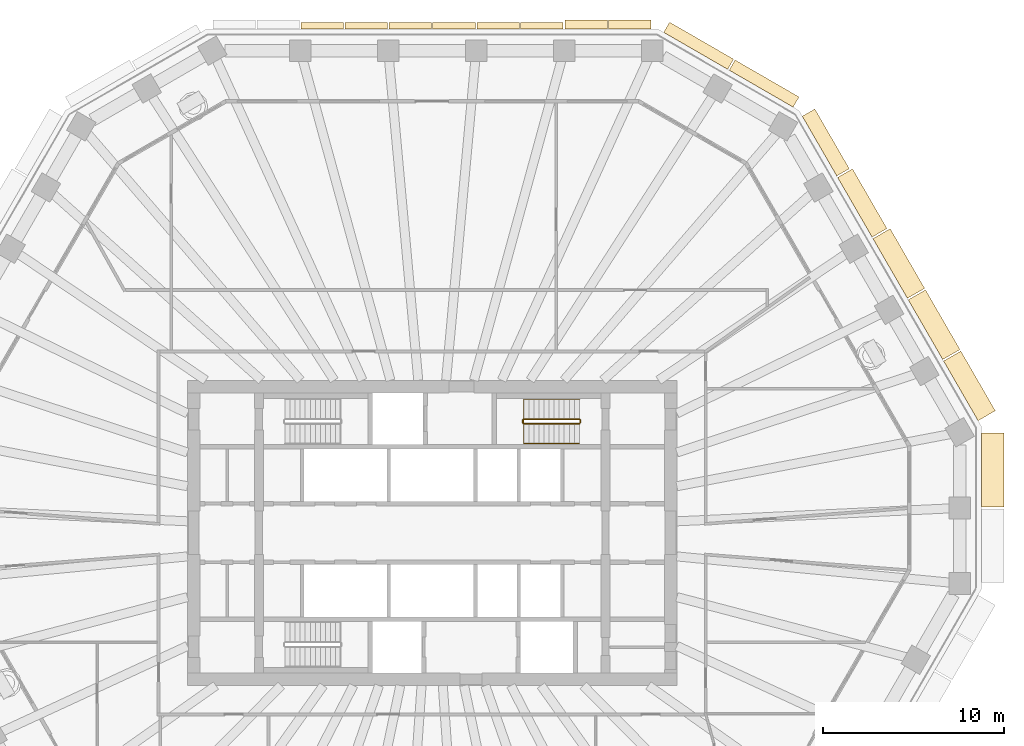
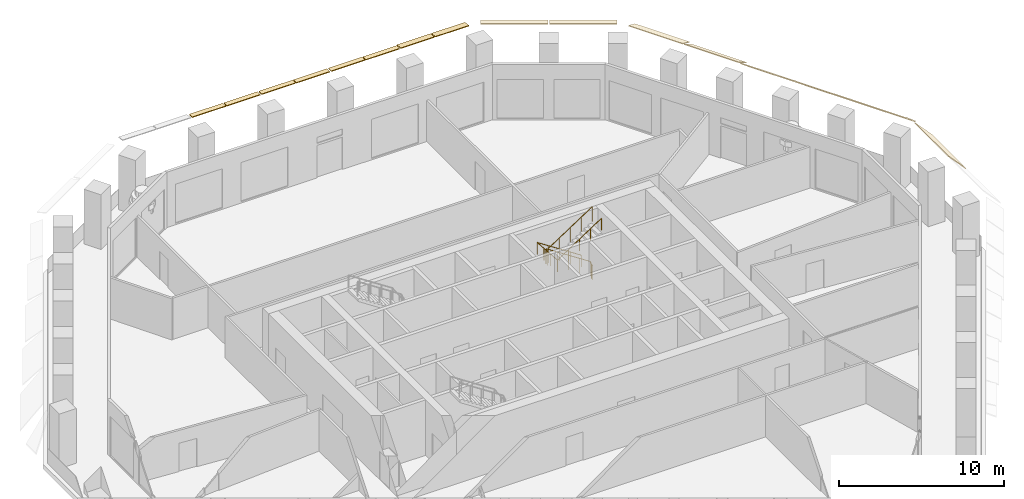
# One storey, part 10 of 12: 16 coverings, 2 railings.
"""IFC4 building model written with IfcOpenShell, lengths in metres."""

from ifc_helpers import new_model, si_unit, direction, frame, origin, origin_2d, place, context, subcontext, project, spatial, polyline, circle, outline, extrude, material, layer, layer_set, type_object, element, save


model = new_model("IFC4")

# Units and contexts
model_context = context("Model", 3, precision=1e-05, world=origin(), true_north=direction((0.0, 1.0)))
body_context = subcontext(model_context, "Body", "Model", "MODEL_VIEW")
ifc_project = project(units=[si_unit("LENGTHUNIT", "METRE"), si_unit("AREAUNIT", "SQUARE_METRE"), si_unit("VOLUMEUNIT", "CUBIC_METRE"), si_unit("PLANEANGLEUNIT", "RADIAN"), si_unit("MASSUNIT", "GRAM", prefix="KILO")], contexts=[model_context])

# Site, building, storey
site_placement = place(None, origin())
site = spatial("IfcSite", under=ifc_project, at=site_placement, CompositionType="ELEMENT")
building_placement = place(site_placement, origin())
building = spatial("IfcBuilding", under=site, at=building_placement, Name="Frailejon Research Tower", CompositionType="ELEMENT")
storey_placement = place(building_placement, frame((0.0, 0.0, 189.199951171875)))
storey = spatial("IfcBuildingStorey", under=building, at=storey_placement, Name="L41", CompositionType="ELEMENT", Elevation=189.199951171875)

# Coverings
ifc_material_1 = material(Name="Precast concrete C50/60", Category="concrete")
ifc_layer_1 = layer(ifc_material_1, 0.06005859375)
ifc_layer_set_1 = layer_set([ifc_layer_1], Name="Brim blade depth 1100")
covering_type_1 = type_object("IfcCoveringType", Name="Brim blade depth 1100", PredefinedType="CLADDING", material=ifc_layer_set_1)
covering_1_placement = place(storey_placement, frame((28.319091796875, 9.515380859375, 4.25), z_axis=(0.500001217064, -0.866024701111, 0.0), x_axis=(0.866024701111, 0.500001217064, 0.0)))
element("IfcCovering", 1, at=covering_1_placement, inside=storey, type_object=covering_type_1, Name="Brim blade L41", PredefinedType="CLADDING", context=body_context, shape_type="SweptSolid", body=[
    extrude(outline(polyline([(0.0, -0.078369140625), (1.10009765625, -1.001220703125), (1.10009765625, -0.923095703125), (0.0, 0.0), (0.0, -0.078369140625)])), origin(), (0.0, 0.0, 1.0), 3.8125),
])
covering_2_placement = place(storey_placement, frame((26.36279296875, 12.90380859375, 4.25), z_axis=(0.499990149831, -0.866031090707, 0.0), x_axis=(0.866031090707, 0.499990149831, 0.0)))
element("IfcCovering", 2, at=covering_2_placement, inside=storey, type_object=covering_type_1, Name="Brim blade L41", PredefinedType="CLADDING", context=body_context, shape_type="SweptSolid", body=[
    extrude(outline(polyline([(0.0, -0.078369140625), (1.10009765625, -1.001220703125), (1.10009765625, -0.923095703125), (0.0, 0.0), (0.0, -0.078369140625)])), origin(), (0.0, 0.0, 1.0), 3.812744140625),
])
covering_3_placement = place(storey_placement, frame((24.406494140625, 16.292236328125, 4.25), z_axis=(0.500001217064, -0.866024701111, 0.0), x_axis=(0.866024701111, 0.500001217064, 0.0)))
element("IfcCovering", 3, at=covering_3_placement, inside=storey, type_object=covering_type_1, Name="Brim blade L41", PredefinedType="CLADDING", context=body_context, shape_type="SweptSolid", body=[
    extrude(outline(polyline([(0.0, -0.078369140625), (1.10009765625, -1.001220703125), (1.10009765625, -0.923095703125), (0.0, 0.0), (0.0, -0.078369140625)])), origin(), (0.0, 0.0, 1.0), 3.8125),
])
ifc_material_2 = material(Name="Precast concrete C50/60", Category="concrete")
ifc_layer_2 = layer(ifc_material_2, 0.06005859375)
ifc_layer_set_2 = layer_set([ifc_layer_2], Name="Brim blade depth 1250")
covering_type_2 = type_object("IfcCoveringType", Name="Brim blade depth 1250", PredefinedType="CLADDING", material=ifc_layer_set_2)
covering_4_placement = place(storey_placement, frame((30.4111328125, 5.520263671875, 4.25), z_axis=(0.0, -1.0, 0.0), x_axis=(1.0, 0.0, 0.0)))
element("IfcCovering", 4, at=covering_4_placement, inside=storey, type_object=covering_type_2, Name="Brim blade L41", PredefinedType="CLADDING", context=body_context, shape_type="SweptSolid", body=[
    extrude(outline(polyline([(0.0, -0.0888671875), (1.25, -1.452880859375), (1.25, -1.364013671875), (0.0, 0.0), (0.0, -0.0888671875)])), origin(), (0.0, 0.0, 1.0), 4.08740234375),
])
ifc_material_3 = material(Name="Precast concrete C50/60", Category="concrete")
ifc_layer_3 = layer(ifc_material_3, 0.06005859375)
ifc_layer_set_3 = layer_set([ifc_layer_3], Name="Brim blade depth 350")
covering_type_3 = type_object("IfcCoveringType", Name="Brim blade depth 350", PredefinedType="CLADDING", material=ifc_layer_set_3)
for number, where, z_axis, x_axis, name in (
    (5, (4.900634765625, 27.89990234375, 4.25), (1.0, 0.0, 0.0), (0.0, 1.0, 0.0), "Brim blade L41"),
    (6, (2.4853515625, 27.89990234375, 4.25), (1.0, 0.0, 0.0), (0.0, 1.0, 0.0), "Brim blade L41"),
    (7, (0.030029296875, 27.89990234375, 4.25), (1.0, 0.0, 0.0), (0.0, 1.0, 0.0), "Brim blade L41"),
    (8, (-2.38525390625, 27.89990234375, 4.25), (1.0, 0.0, 0.0), (0.0, 1.0, 0.0), "Brim blade L41"),
    (9, (-4.840576171875, 27.89990234375, 4.25), (1.0, 0.0, 0.0), (0.0, 1.0, 0.0), "Brim blade L41"),
    (10, (-7.255859375, 27.89990234375, 4.25), (1.0, 0.0, 0.0), (0.0, 1.0, 0.0), "Brim blade L41"),
):
    element("IfcCovering", number, at=place(storey_placement, frame(where, z_axis=z_axis, x_axis=x_axis)), inside=storey, type_object=covering_type_3, Name=name, PredefinedType="CLADDING", context=body_context, shape_type="SweptSolid", body=[
        extrude(outline(polyline([(0.0, -0.06005859375), (0.35009765625, -0.06005859375), (0.35009765625, 0.0), (0.0, 0.0), (0.0, -0.06005859375)])), origin(), (0.0, 0.0, 1.0), 2.355224609375),
    ])
ifc_material_4 = material(Name="Precast concrete C50/60", Category="concrete")
ifc_layer_4 = layer(ifc_material_4, 0.06005859375)
ifc_layer_set_4 = layer_set([ifc_layer_4], Name="Brim blade depth 500")
covering_type_4 = type_object("IfcCoveringType", Name="Brim blade depth 500", PredefinedType="CLADDING", material=ifc_layer_set_4)
for number, where, z_axis, x_axis, name in (
    (11, (9.771240234375, 27.89990234375, 4.25), (1.0, 0.0, 0.0), (0.0, 1.0, 0.0), "Brim blade L41"),
    (12, (7.35595703125, 27.89990234375, 4.25), (1.0, 0.0, 0.0), (0.0, 1.0, 0.0), "Brim blade L41"),
):
    element("IfcCovering", number, at=place(storey_placement, frame(where, z_axis=z_axis, x_axis=x_axis)), inside=storey, type_object=covering_type_4, Name=name, PredefinedType="CLADDING", context=body_context, shape_type="SweptSolid", body=[
        extrude(outline(polyline([(0.0, -0.060546875), (0.5, -0.130859375), (0.5, -0.0703125), (0.0, 0.0), (0.0, -0.060546875)])), origin(), (0.0, 0.0, 1.0), 2.355224609375),
    ])
ifc_material_5 = material(Name="Precast concrete C50/60", Category="concrete")
ifc_layer_5 = layer(ifc_material_5, 0.06005859375)
ifc_layer_set_5 = layer_set([ifc_layer_5], Name="Brim blade depth 650")
covering_type_5 = type_object("IfcCoveringType", Name="Brim blade depth 650", PredefinedType="CLADDING", material=ifc_layer_set_5)
covering_5_placement = place(storey_placement, frame((16.4462890625, 25.620361328125, 4.25), z_axis=(0.866021344981, -0.500007029989, 0.0), x_axis=(0.500007029989, 0.866021344981, 0.0)))
element("IfcCovering", 13, at=covering_5_placement, inside=storey, type_object=covering_type_5, Name="Brim blade L41", PredefinedType="CLADDING", context=body_context, shape_type="SweptSolid", body=[
    extrude(outline(polyline([(0.0, -0.0625), (0.64990234375, -0.248779296875), (0.64990234375, -0.186279296875), (0.0, 0.0), (0.0, -0.0625)])), origin(), (0.0, 0.0, 1.0), 4.08740234375),
])
covering_6_placement = place(storey_placement, frame((12.81982421875, 27.714111328125, 4.25), z_axis=(0.866027315287, -0.499996689166, 0.0), x_axis=(0.499996689166, 0.866027315287, 0.0)))
element("IfcCovering", 14, at=covering_6_placement, inside=storey, type_object=covering_type_5, Name="Brim blade L41", PredefinedType="CLADDING", context=body_context, shape_type="SweptSolid", body=[
    extrude(outline(polyline([(0.0, -0.0625), (0.64990234375, -0.248779296875), (0.64990234375, -0.186279296875), (0.0, 0.0), (0.0, -0.0625)])), origin(), (0.0, 0.0, 1.0), 4.087646484375),
])
ifc_material_6 = material(Name="Precast concrete C50/60", Category="concrete")
ifc_layer_6 = layer(ifc_material_6, 0.06005859375)
ifc_layer_set_6 = layer_set([ifc_layer_6], Name="Brim blade depth 800")
covering_type_6 = type_object("IfcCoveringType", Name="Brim blade depth 800", PredefinedType="CLADDING", material=ifc_layer_set_6)
covering_7_placement = place(storey_placement, frame((20.493896484375, 23.069091796875, 4.25), z_axis=(0.500001217064, -0.866024701111, 0.0), x_axis=(0.866024701111, 0.500001217064, 0.0)))
element("IfcCovering", 15, at=covering_7_placement, inside=storey, type_object=covering_type_6, Name="Brim blade L41", PredefinedType="CLADDING", context=body_context, shape_type="SweptSolid", body=[
    extrude(outline(polyline([(0.0, -0.065673828125), (0.800048828125, -0.421875), (0.800048828125, -0.356201171875), (0.0, 0.0), (0.0, -0.065673828125)])), origin(), (0.0, 0.0, 1.0), 3.8125),
])
ifc_material_7 = material(Name="Precast concrete C50/60", Category="concrete")
ifc_layer_7 = layer(ifc_material_7, 0.06005859375)
ifc_layer_set_7 = layer_set([ifc_layer_7], Name="Brim blade depth 950")
covering_type_7 = type_object("IfcCoveringType", Name="Brim blade depth 950", PredefinedType="CLADDING", material=ifc_layer_set_7)
covering_8_placement = place(storey_placement, frame((22.4501953125, 19.6806640625, 4.25), z_axis=(0.500001217064, -0.866024701111, 0.0), x_axis=(0.866024701111, 0.500001217064, 0.0)))
element("IfcCovering", 16, at=covering_8_placement, inside=storey, type_object=covering_type_7, Name="Brim blade L41", PredefinedType="CLADDING", context=body_context, shape_type="SweptSolid", body=[
    extrude(outline(polyline([(0.0, -0.07080078125), (0.949951171875, -0.664306640625), (0.949951171875, -0.593505859375), (0.0, 0.0), (0.0, -0.07080078125)])), origin(), (0.0, 0.0, 1.0), 3.8125),
])

# Railings
ifc_material_8 = material(Name="Stainless steel", Category="steel")
railing_type_1 = type_object("IfcRailingType", Name="Stair guard 1100", PredefinedType="GUARDRAIL", material=ifc_material_8)
railing_1_placement = place(storey_placement, frame((8.199951171875, 6.10009765625, 0.0)))
element("IfcRailing", 17, at=railing_1_placement, inside=storey, type_object=railing_type_1, Name="L41 ST3 stair guard 1", PredefinedType="GUARDRAIL", context=body_context, shape_type="SweptSolid", body=[
    extrude(circle(Radius=0.02392578125, at=origin_2d()), frame((0.0, 0.0, 1.076171875), z_axis=(0.0, 1.0, 0.0), x_axis=(-1.0, 0.0, 0.0)), (0.0, 0.0, 1.0), 0.14990234375),
    extrude(circle(Radius=0.02392578125, at=origin_2d()), frame((0.0, 0.14990234375, 1.076171875), z_axis=(-0.254653276557, 0.254653276557, 0.932900539971), x_axis=(-0.707106781187, -0.707106781187, 0.0)), (0.0, 0.0, 1.0), 0.196533203125),
    extrude(circle(Radius=0.02392578125, at=origin_2d()), frame((-0.050048828125, 0.199951171875, 1.25927734375), z_axis=(-0.836613101238, 0.0, 0.547794230379), x_axis=(0.0, -1.0, 0.0)), (0.0, 0.0, 1.0), 3.681396484375),
    extrude(circle(Radius=0.02392578125, at=origin_2d()), frame((-3.1298828125, 0.199951171875, 3.27587890625), z_axis=(-0.707106781187, -0.707106781187, 0.0), x_axis=(0.707106781187, -0.707106781187, 0.0)), (0.0, 0.0, 1.0), 0.07080078125),
    extrude(circle(Radius=0.02392578125, at=origin_2d()), frame((-3.179931640625, 0.14990234375, 3.27587890625), z_axis=(0.0, -1.0, 0.0), x_axis=(1.0, 0.0, 0.0)), (0.0, 0.0, 1.0), 0.14990234375),
    extrude(circle(Radius=0.02392578125, at=origin_2d()), frame((-3.179931640625, 0.0, 3.27587890625), z_axis=(0.254653276557, -0.254653276557, 0.932900539971), x_axis=(0.707106781187, 0.707106781187, 0.0)), (0.0, 0.0, 1.0), 0.196533203125),
    extrude(circle(Radius=0.02392578125, at=origin_2d()), frame((-3.1298828125, -0.050048828125, 3.45947265625), z_axis=(0.836582707638, 0.0, 0.547840645882), x_axis=(0.0, 1.0, 0.0)), (0.0, 0.0, 1.0), 3.681396484375),
    extrude(circle(Radius=0.02099609375, at=origin_2d()), origin(), (0.0, 0.0, 1.0), 1.052001953125),
    extrude(circle(Radius=0.02099609375, at=origin_2d()), frame((0.0, 0.14990234375, 0.0)), (0.0, 0.0, 1.0), 1.052001953125),
    extrude(circle(Radius=0.02099609375, at=origin_2d()), frame((-0.050048828125, 0.199951171875, 0.183349609375)), (0.0, 0.0, 1.0), 1.052001953125),
    extrude(circle(Radius=0.02099609375, at=origin_2d()), frame((-0.820068359375, 0.199951171875, 0.6875)), (0.0, 0.0, 1.0), 1.052001953125),
    extrude(circle(Radius=0.02099609375, at=origin_2d()), frame((-1.58984375, 0.199951171875, 1.191650390625)), (0.0, 0.0, 1.0), 1.052001953125),
    extrude(circle(Radius=0.02099609375, at=origin_2d()), frame((-2.35986328125, 0.199951171875, 1.69580078125)), (0.0, 0.0, 1.0), 1.052001953125),
    extrude(circle(Radius=0.02099609375, at=origin_2d()), frame((-3.1298828125, 0.199951171875, 2.199951171875)), (0.0, 0.0, 1.0), 1.052001953125),
    extrude(circle(Radius=0.02099609375, at=origin_2d()), frame((-3.179931640625, 0.14990234375, 2.199951171875)), (0.0, 0.0, 1.0), 1.052001953125),
    extrude(circle(Radius=0.02099609375, at=origin_2d()), frame((-3.179931640625, 0.0, 2.199951171875)), (0.0, 0.0, 1.0), 1.052001953125),
    extrude(circle(Radius=0.02099609375, at=origin_2d()), frame((-3.1298828125, -0.050048828125, 2.38330078125)), (0.0, 0.0, 1.0), 1.052001953125),
    extrude(circle(Radius=0.02099609375, at=origin_2d()), frame((-2.35986328125, -0.050048828125, 2.887451171875)), (0.0, 0.0, 1.0), 1.052001953125),
    extrude(circle(Radius=0.02099609375, at=origin_2d()), frame((-1.58984375, -0.050048828125, 3.3916015625)), (0.0, 0.0, 1.0), 1.052001953125),
    extrude(circle(Radius=0.02099609375, at=origin_2d()), frame((-0.820068359375, -0.050048828125, 3.89599609375)), (0.0, 0.0, 1.0), 1.052001953125),
    extrude(circle(Radius=0.02099609375, at=origin_2d()), frame((-0.050048828125, -0.050048828125, 4.400146484375)), (0.0, 0.0, 1.0), 1.052001953125),
])
ifc_material_9 = material(Name="Stainless steel", Category="steel")
railing_type_2 = type_object("IfcRailingType", Name="Stair handrail 900", PredefinedType="HANDRAIL", material=ifc_material_9)
railing_2_placement = place(storey_placement, frame((8.14990234375, 7.39990234375, 0.183349609375)))
element("IfcRailing", 18, at=railing_2_placement, inside=storey, type_object=railing_type_2, Name="L41 ST3 stair handrail 1", PredefinedType="HANDRAIL", context=body_context, shape_type="SweptSolid", body=[
    extrude(circle(Radius=0.02392578125, at=origin_2d()), frame((0.0, 0.0, 0.8759765625), z_axis=(-0.836613101238, 0.0, 0.547794230379), x_axis=(0.0, -1.0, 0.0)), (0.0, 0.0, 1.0), 3.681396484375),
    extrude(circle(Radius=0.02392578125, at=origin_2d()), frame((-3.079833984375, 0.0, 2.892578125), z_axis=(0.0, -0.99721134034, 0.074629368868), x_axis=(1.0, 0.0, 0.0)), (0.0, 0.0, 1.0), 2.456787109375),
    extrude(circle(Radius=0.02392578125, at=origin_2d()), frame((-3.079833984375, -2.449951171875, 3.07568359375), z_axis=(0.836582707638, 0.0, 0.547840645882), x_axis=(0.0, 1.0, 0.0)), (0.0, 0.0, 1.0), 3.681396484375),
    extrude(circle(Radius=0.02099609375, at=origin_2d()), origin(), (0.0, 0.0, 1.0), 0.851806640625),
    extrude(circle(Radius=0.02099609375, at=origin_2d()), frame((-0.77001953125, 0.0, 0.504150390625)), (0.0, 0.0, 1.0), 0.851806640625),
    extrude(circle(Radius=0.02099609375, at=origin_2d()), frame((-1.5400390625, 0.0, 1.00830078125)), (0.0, 0.0, 1.0), 0.851806640625),
    extrude(circle(Radius=0.02099609375, at=origin_2d()), frame((-2.309814453125, 0.0, 1.512451171875)), (0.0, 0.0, 1.0), 0.851806640625),
    extrude(circle(Radius=0.02099609375, at=origin_2d()), frame((-3.079833984375, 0.0, 2.0166015625)), (0.0, 0.0, 1.0), 0.851806640625),
    extrude(circle(Radius=0.02099609375, at=origin_2d()), frame((-3.079833984375, -0.816650390625, 2.07763671875)), (0.0, 0.0, 1.0), 0.851806640625),
    extrude(circle(Radius=0.02099609375, at=origin_2d()), frame((-3.079833984375, -1.63330078125, 2.138916015625)), (0.0, 0.0, 1.0), 0.851806640625),
    extrude(circle(Radius=0.02099609375, at=origin_2d()), frame((-3.079833984375, -2.449951171875, 2.199951171875)), (0.0, 0.0, 1.0), 0.851806640625),
    extrude(circle(Radius=0.02099609375, at=origin_2d()), frame((-2.309814453125, -2.449951171875, 2.7041015625)), (0.0, 0.0, 1.0), 0.851806640625),
    extrude(circle(Radius=0.02099609375, at=origin_2d()), frame((-1.5400390625, -2.449951171875, 3.20849609375)), (0.0, 0.0, 1.0), 0.851806640625),
    extrude(circle(Radius=0.02099609375, at=origin_2d()), frame((-0.77001953125, -2.449951171875, 3.712646484375)), (0.0, 0.0, 1.0), 0.851806640625),
    extrude(circle(Radius=0.02099609375, at=origin_2d()), frame((0.0, -2.449951171875, 4.216796875)), (0.0, 0.0, 1.0), 0.851806640625),
])

save(model, "model.ifc")
